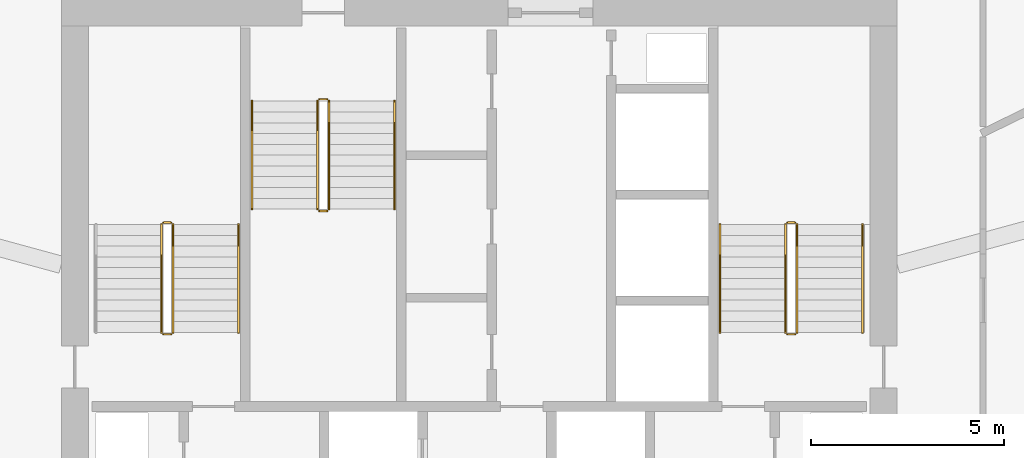
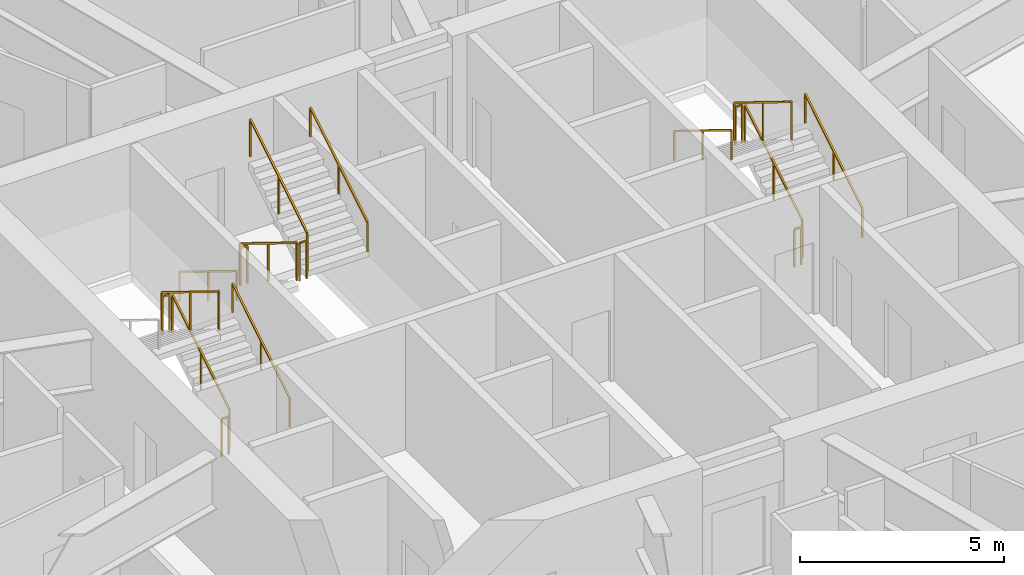
# One storey, part 33 of 33: 17 railings.
"""IFC4 building model written with IfcOpenShell, lengths in metres."""

import ifcopenshell
import ifcopenshell.guid

model = None  # the IFC model being written
_history = None  # IfcOwnerHistory: only IFC2X3 demands one
_inside = {}  # id of a spatial element -> (the spatial element, [elements in it])
_under = {}  # id of a project, library or spatial element -> (it, [spatial elements below it])
_declared = {}  # id of a project -> (the project, [libraries it declares])
_typed = {}  # id of a type object -> (the type object, [elements of that type])
_made_of = {}  # id of a material, layer set ... -> (it, [elements and type objects made of it])


def new_model(schema):
    """Start an empty IFC model of exactly this schema.

    Asked for "IFC4X3", IfcOpenShell would pick the latest addendum, in which some entities
    have other attributes; the version numbers below select the first issue.
    IFC2X3 requires an IfcOwnerHistory on every rooted entity: one is made here for all.
    """
    global model, _history
    if schema == "IFC4X3":
        model = ifcopenshell.file(schema_version=(4, 3, 0, 0))
    else:
        model = ifcopenshell.file(schema=schema)
    _inside.clear()
    _under.clear()
    _declared.clear()
    _typed.clear()
    _made_of.clear()
    _history = None
    if model.schema == "IFC2X3":
        org = make("IfcOrganization", Name="unknown")
        user = make(
            "IfcPersonAndOrganization",
            ThePerson=make("IfcPerson", FamilyName="unknown"),
            TheOrganization=org,
        )
        app = make(
            "IfcApplication",
            ApplicationDeveloper=org,
            Version="unknown",
            ApplicationFullName="unknown",
            ApplicationIdentifier="unknown",
        )
        _history = make(
            "IfcOwnerHistory",
            OwningUser=user,
            OwningApplication=app,
            ChangeAction="ADDED",
            CreationDate=0,
        )
    return model


def make(cls, **values):
    """One entity of the class cls with the attributes given. An attribute that is None is left unset."""
    return model.create_entity(
        cls, **{name: value for name, value in values.items() if value is not None}
    )


def rooted(cls, **values):
    """An entity with a GlobalId (a new one), such as an element, a storey or a relation."""
    return make(cls, GlobalId=ifcopenshell.guid.new(), OwnerHistory=_history, **values)


def si_unit(unit_type, name, prefix=None):
    """IfcSIUnit, for example si_unit("LENGTHUNIT", "METRE", prefix="MILLI")."""
    return make("IfcSIUnit", UnitType=unit_type, Prefix=prefix, Name=name)


def assignment(units):
    """IfcUnitAssignment: the units of a project."""
    return None if units is None else make("IfcUnitAssignment", Units=units)


def point(xyz):
    """IfcCartesianPoint."""
    return None if xyz is None else make("IfcCartesianPoint", Coordinates=xyz)


def direction(xyz):
    """IfcDirection."""
    return None if xyz is None else make("IfcDirection", DirectionRatios=xyz)


def frame(location, z_axis=None, x_axis=None):
    """IfcAxis2Placement3D, a coordinate frame: its origin and axes. An axis left out is left unset."""
    return make(
        "IfcAxis2Placement3D",
        Location=point(location),
        Axis=direction(z_axis),
        RefDirection=direction(x_axis),
    )


def frame_2d(location, x_axis=None):
    """IfcAxis2Placement2D, a coordinate frame in the plane: its origin and x axis."""
    return make(
        "IfcAxis2Placement2D", Location=point(location), RefDirection=direction(x_axis)
    )


def origin():
    """The frame at (0, 0, 0) with its axes left unset."""
    return frame((0.0, 0.0, 0.0))


def origin_2d():
    """The frame at (0, 0) in the plane with its x axis left unset."""
    return frame_2d((0.0, 0.0))


def place(relative_to, where):
    """IfcLocalPlacement: puts the frame where relative to a parent placement (None: the world)."""
    return make(
        "IfcLocalPlacement", PlacementRelTo=relative_to, RelativePlacement=where
    )


def context(
    kind, dimensions, precision=None, world=None, true_north=None, identifier=None
):
    """IfcGeometricRepresentationContext, for example the 3D "Model" context."""
    return make(
        "IfcGeometricRepresentationContext",
        ContextIdentifier=identifier,
        ContextType=kind,
        CoordinateSpaceDimension=dimensions,
        Precision=precision,
        WorldCoordinateSystem=world,
        TrueNorth=true_north,
    )


def subcontext(parent, identifier, kind, view, scale=None):
    """IfcGeometricRepresentationSubContext, for example "Body" below "Model"."""
    return make(
        "IfcGeometricRepresentationSubContext",
        ContextIdentifier=identifier,
        ContextType=kind,
        ParentContext=parent,
        TargetScale=scale,
        TargetView=view,
    )


def project(units=None, contexts=None):
    """IfcProject with its units and contexts."""
    return rooted(
        "IfcProject",
        Name="project",
        RepresentationContexts=contexts,
        UnitsInContext=assignment(units),
    )


def spatial(cls, under=None, at=None, **own):
    """A site, building, storey or space (cls), placed at a placement, below another one or the project."""
    s = rooted(cls, ObjectPlacement=at, **own)
    if under is not None:
        _under.setdefault(under.id(), (under, []))[1].append(s)
    return s


def profile(cls, at=None, kind="AREA", **sizes):
    """A parametric profile (cls). Its sizes go by their IFC names, for example OverallWidth=200.0."""
    return make(cls, ProfileType=kind, Position=at, **sizes)


def rectangle(**sizes):
    """IfcRectangleProfileDef."""
    return profile("IfcRectangleProfileDef", **sizes)


def extrude(swept, where, along, depth):
    """IfcExtrudedAreaSolid: the profile swept, set in the frame where, extruded along a direction by depth."""
    return make(
        "IfcExtrudedAreaSolid",
        SweptArea=swept,
        Position=where,
        ExtrudedDirection=direction(along),
        Depth=depth,
    )


def shape(context_of_items, identifier, shape_type, items):
    """IfcShapeRepresentation: the items that make up one representation, for example the "Body"."""
    return make(
        "IfcShapeRepresentation",
        ContextOfItems=context_of_items,
        RepresentationIdentifier=identifier,
        RepresentationType=shape_type,
        Items=items,
    )


def material(Name=None, Category=None):
    """IfcMaterial."""
    return make("IfcMaterial", Name=Name, Category=Category)


def made_of(thing, what):
    """Note that an element or type object is made of a material, layer set ...; save() writes the relation."""
    if what is not None:
        _made_of.setdefault(what.id(), (what, []))[1].append(thing)
    return thing


def type_object(cls, material=None, **own):
    """A type object (cls), such as IfcWallType, which elements share."""
    return made_of(rooted(cls, **own), material)


def element(
    cls,
    number,
    at=None,
    inside=None,
    cuts=None,
    type_object=None,
    material=None,
    context=None,
    identifier="Body",
    shape_type=None,
    held_by="IfcProductDefinitionShape",
    body=None,
    shapes=None,
    **own,
):
    """One element of the class cls, such as IfcWall. Its Tag is "e" and its number.

    at: its placement. inside: the storey or other place that contains it. cuts: it is an
    opening in that element (IfcRelVoidsElement). A single representation is given by context,
    identifier, shape_type and body (its items); several are given by shapes. held_by: the class
    of the entity that holds the representations. save() writes the other relations.
    """
    e = rooted(cls, Tag="e%d" % number, ObjectPlacement=at, **own)
    if body is not None:
        shapes = [shape(context, identifier, shape_type, body)]
    if shapes is not None:
        e.Representation = make(held_by, Representations=shapes)
    if inside is not None:
        _inside.setdefault(inside.id(), (inside, []))[1].append(e)
    if cuts is not None:
        rooted(
            "IfcRelVoidsElement", RelatingBuildingElement=cuts, RelatedOpeningElement=e
        )
    if type_object is not None:
        _typed.setdefault(type_object.id(), (type_object, []))[1].append(e)
    return made_of(e, material)


def aggregate(whole, parts):
    """IfcRelAggregates: a whole, such as a stair, and the parts it consists of."""
    return rooted("IfcRelAggregates", RelatingObject=whole, RelatedObjects=parts)


def save(model, path):
    """Write the relations noted so far, then the file.

    IfcRelAggregates (storeys below a building ...), IfcRelContainedInSpatialStructure (elements
    in a storey), IfcRelDefinesByType, IfcRelAssociatesMaterial and IfcRelDeclares: one each for
    every whole, place, type object, material and project.
    """
    for whole, parts in _under.values():
        aggregate(whole, parts)
    for where, things in _inside.values():
        rooted(
            "IfcRelContainedInSpatialStructure",
            RelatedElements=things,
            RelatingStructure=where,
        )
    for kind, things in _typed.values():
        rooted("IfcRelDefinesByType", RelatedObjects=things, RelatingType=kind)
    for what, things in _made_of.values():
        rooted("IfcRelAssociatesMaterial", RelatedObjects=things, RelatingMaterial=what)
    for by, libraries in _declared.values():
        rooted("IfcRelDeclares", RelatingContext=by, RelatedDefinitions=libraries)
    model.write(path)


model = new_model("IFC4")

# Units and contexts
model_context = context("Model", 3, precision=1e-05, world=origin(), true_north=direction((0.0, 1.0)))
body_context = subcontext(model_context, "Body", "Model", "MODEL_VIEW")
ifc_project = project(units=[si_unit("LENGTHUNIT", "METRE"), si_unit("AREAUNIT", "SQUARE_METRE"), si_unit("VOLUMEUNIT", "CUBIC_METRE"), si_unit("PLANEANGLEUNIT", "RADIAN"), si_unit("MASSUNIT", "GRAM", prefix="KILO")], contexts=[model_context])

# Site, building, storey
site_placement = place(None, origin())
site = spatial("IfcSite", under=ifc_project, at=site_placement, CompositionType="ELEMENT")
building_placement = place(site_placement, origin())
building = spatial("IfcBuilding", under=site, at=building_placement, Name="Zuhravey Tower", CompositionType="ELEMENT")
storey_placement = place(building_placement, frame((0.0, 0.0, 141.800048828125)))
storey = spatial("IfcBuildingStorey", under=building, at=storey_placement, Name="L35", CompositionType="ELEMENT", Elevation=141.800048828125)

# Railings
ifc_material_1 = material(Name="Brushed stainless steel", Category="steel")
railing_type_1 = type_object("IfcRailingType", Name="Stair Wall Handrail 900", PredefinedType="HANDRAIL", material=ifc_material_1)
for number, where, name in (
    (1, (29.75, 33.199951171875, 0.172607421875), "L35 ST1 stair handrail 1"),
    (2, (45.949951171875, 33.199951171875, 0.172607421875), "L35 ST2 stair handrail 1"),
):
    element("IfcRailing", number, at=place(storey_placement, frame(where)), inside=storey, type_object=railing_type_1, Name=name, PredefinedType="HANDRAIL", context=body_context, shape_type="SweptSolid", body=[
        extrude(rectangle(XDim=0.048095703125, YDim=0.048095703125, at=origin_2d()), frame((0.0, 0.001708984375, 0.876953125), z_axis=(0.0, 0.851089632645, 0.525020415988), x_axis=(-1.0, 0.0, 0.0)), (0.0, 0.0, 1.0), 3.285888671875),
        extrude(rectangle(XDim=0.0419921875, YDim=0.0419921875, at=origin_2d()), origin(), (0.0, 0.0, 1.0), 0.849853515625),
        extrude(rectangle(XDim=0.0419921875, YDim=0.0419921875, at=origin_2d()), frame((0.0, 1.39990234375, 0.86376953125)), (0.0, 0.0, 1.0), 0.849853515625),
        extrude(rectangle(XDim=0.0419921875, YDim=0.0419921875, at=origin_2d()), frame((0.0, 2.800048828125, 1.727294921875)), (0.0, 0.0, 1.0), 0.849853515625),
    ])
for number, where, name in (
    (3, (42.25, 36.0, 2.07275390625), "L35 ST2 stair handrail 2"),
    (4, (30.10009765625, 39.199951171875, 0.172607421875), "L35 ST3 stair handrail 1"),
):
    element("IfcRailing", number, at=place(storey_placement, frame(where)), inside=storey, type_object=railing_type_1, Name=name, PredefinedType="HANDRAIL", context=body_context, shape_type="SweptSolid", body=[
        extrude(rectangle(XDim=0.048095703125, YDim=0.048095703125, at=origin_2d()), frame((0.0, -0.001708984375, 0.876953125), z_axis=(0.0, -0.851089632645, 0.525020415988), x_axis=(1.0, 0.0, 0.0)), (0.0, 0.0, 1.0), 3.285888671875),
        extrude(rectangle(XDim=0.0419921875, YDim=0.0419921875, at=origin_2d()), origin(), (0.0, 0.0, 1.0), 0.849853515625),
        extrude(rectangle(XDim=0.0419921875, YDim=0.0419921875, at=origin_2d()), frame((0.0, -1.39990234375, 0.86376953125)), (0.0, 0.0, 1.0), 0.849853515625),
        extrude(rectangle(XDim=0.0419921875, YDim=0.0419921875, at=origin_2d()), frame((0.0, -2.800048828125, 1.727294921875)), (0.0, 0.0, 1.0), 0.849853515625),
    ])
railing_1_placement = place(storey_placement, frame((33.800048828125, 36.39990234375, 2.07275390625)))
element("IfcRailing", 5, at=railing_1_placement, inside=storey, type_object=railing_type_1, Name="L35 ST3 stair handrail 2", PredefinedType="HANDRAIL", context=body_context, shape_type="SweptSolid", body=[
    extrude(rectangle(XDim=0.048095703125, YDim=0.048095703125, at=origin_2d()), frame((0.0, 0.001708984375, 0.876953125), z_axis=(0.0, 0.851089632645, 0.525020415988), x_axis=(-1.0, 0.0, 0.0)), (0.0, 0.0, 1.0), 3.285888671875),
    extrude(rectangle(XDim=0.0419921875, YDim=0.0419921875, at=origin_2d()), origin(), (0.0, 0.0, 1.0), 0.849853515625),
    extrude(rectangle(XDim=0.0419921875, YDim=0.0419921875, at=origin_2d()), frame((0.0, 1.39990234375, 0.86376953125)), (0.0, 0.0, 1.0), 0.849853515625),
    extrude(rectangle(XDim=0.0419921875, YDim=0.0419921875, at=origin_2d()), frame((0.0, 2.800048828125, 1.727294921875)), (0.0, 0.0, 1.0), 0.849853515625),
])
ifc_material_2 = material(Name="Painted tubular steel", Category="steel")
railing_type_2 = type_object("IfcRailingType", Name="Stair Well Guardrail 1150", PredefinedType="GUARDRAIL", material=ifc_material_2)
railing_2_placement = place(storey_placement, frame((28.050048828125, 33.199951171875, 0.172607421875)))
element("IfcRailing", 6, at=railing_2_placement, inside=storey, type_object=railing_type_2, Name="L35 ST1 stair guard 1", PredefinedType="GUARDRAIL", context=body_context, shape_type="SweptSolid", body=[
    extrude(rectangle(XDim=0.048095703125, YDim=0.048095703125, at=origin_2d()), frame((0.0, 0.001708984375, 1.126953125), z_axis=(0.0, 0.851089632645, 0.525020415988), x_axis=(-1.0, 0.0, 0.0)), (0.0, 0.0, 1.0), 3.285888671875),
    extrude(rectangle(XDim=0.0419921875, YDim=0.0419921875, at=origin_2d()), origin(), (0.0, 0.0, 1.0), 1.099853515625),
    extrude(rectangle(XDim=0.0419921875, YDim=0.0419921875, at=origin_2d()), frame((0.0, 1.39990234375, 0.86376953125)), (0.0, 0.0, 1.0), 1.099853515625),
    extrude(rectangle(XDim=0.0419921875, YDim=0.0419921875, at=origin_2d()), frame((0.0, 2.800048828125, 1.727294921875)), (0.0, 0.0, 1.0), 1.099853515625),
])
railing_3_placement = place(storey_placement, frame((28.0, 36.050048828125, 1.89990234375)))
element("IfcRailing", 7, at=railing_3_placement, inside=storey, type_object=railing_type_2, Name="L35 ST1 stair guard 2", PredefinedType="GUARDRAIL", context=body_context, shape_type="SweptSolid", body=[
    extrude(rectangle(XDim=0.048095703125, YDim=0.048095703125, at=origin_2d()), frame((-0.001953125, 0.0, 1.1259765625), z_axis=(-1.0, 0.0, 0.0), x_axis=(0.0, -1.0, 0.0)), (0.0, 0.0, 1.0), 0.196044921875),
    extrude(rectangle(XDim=0.0419921875, YDim=0.0419921875, at=origin_2d()), origin(), (0.0, 0.0, 1.0), 1.099853515625),
    extrude(rectangle(XDim=0.0419921875, YDim=0.0419921875, at=origin_2d()), frame((-0.199951171875, 0.0, 0.0)), (0.0, 0.0, 1.0), 1.099853515625),
])
railing_4_placement = place(storey_placement, frame((27.75, 36.0, 2.07275390625)))
element("IfcRailing", 8, at=railing_4_placement, inside=storey, type_object=railing_type_2, Name="L35 ST1 stair guard 3", PredefinedType="GUARDRAIL", context=body_context, shape_type="SweptSolid", body=[
    extrude(rectangle(XDim=0.048095703125, YDim=0.048095703125, at=origin_2d()), frame((0.0, -0.001708984375, 1.126953125), z_axis=(0.0, -0.851089632645, 0.525020415988), x_axis=(1.0, 0.0, 0.0)), (0.0, 0.0, 1.0), 3.285888671875),
    extrude(rectangle(XDim=0.0419921875, YDim=0.0419921875, at=origin_2d()), origin(), (0.0, 0.0, 1.0), 1.099853515625),
    extrude(rectangle(XDim=0.0419921875, YDim=0.0419921875, at=origin_2d()), frame((0.0, -1.39990234375, 0.86376953125)), (0.0, 0.0, 1.0), 1.099853515625),
    extrude(rectangle(XDim=0.0419921875, YDim=0.0419921875, at=origin_2d()), frame((0.0, -2.800048828125, 1.727294921875)), (0.0, 0.0, 1.0), 1.099853515625),
])
railing_5_placement = place(storey_placement, frame((28.0, 33.14990234375, 0.0)))
element("IfcRailing", 9, at=railing_5_placement, inside=storey, type_object=railing_type_2, Name="L35 ST1 stair guard 4", PredefinedType="GUARDRAIL", context=body_context, shape_type="SweptSolid", body=[
    extrude(rectangle(XDim=0.048095703125, YDim=0.048095703125, at=origin_2d()), frame((-0.001953125, 0.0, 1.1259765625), z_axis=(-1.0, 0.0, 0.0), x_axis=(0.0, -1.0, 0.0)), (0.0, 0.0, 1.0), 0.196044921875),
    extrude(rectangle(XDim=0.0419921875, YDim=0.0419921875, at=origin_2d()), origin(), (0.0, 0.0, 1.0), 1.099853515625),
    extrude(rectangle(XDim=0.0419921875, YDim=0.0419921875, at=origin_2d()), frame((-0.199951171875, 0.0, 0.0)), (0.0, 0.0, 1.0), 1.099853515625),
])
railing_6_placement = place(storey_placement, frame((44.25, 33.199951171875, 0.172607421875)))
element("IfcRailing", 10, at=railing_6_placement, inside=storey, type_object=railing_type_2, Name="L35 ST2 stair guard 1", PredefinedType="GUARDRAIL", context=body_context, shape_type="SweptSolid", body=[
    extrude(rectangle(XDim=0.048095703125, YDim=0.048095703125, at=origin_2d()), frame((0.0, 0.001708984375, 1.126953125), z_axis=(0.0, 0.851089632645, 0.525020415988), x_axis=(-1.0, 0.0, 0.0)), (0.0, 0.0, 1.0), 3.285888671875),
    extrude(rectangle(XDim=0.0419921875, YDim=0.0419921875, at=origin_2d()), origin(), (0.0, 0.0, 1.0), 1.099853515625),
    extrude(rectangle(XDim=0.0419921875, YDim=0.0419921875, at=origin_2d()), frame((0.0, 1.39990234375, 0.86376953125)), (0.0, 0.0, 1.0), 1.099853515625),
    extrude(rectangle(XDim=0.0419921875, YDim=0.0419921875, at=origin_2d()), frame((0.0, 2.800048828125, 1.727294921875)), (0.0, 0.0, 1.0), 1.099853515625),
])
railing_7_placement = place(storey_placement, frame((44.199951171875, 36.050048828125, 1.89990234375)))
element("IfcRailing", 11, at=railing_7_placement, inside=storey, type_object=railing_type_2, Name="L35 ST2 stair guard 2", PredefinedType="GUARDRAIL", context=body_context, shape_type="SweptSolid", body=[
    extrude(rectangle(XDim=0.048095703125, YDim=0.048095703125, at=origin_2d()), frame((-0.001953125, 0.0, 1.1259765625), z_axis=(-1.0, 0.0, 0.0), x_axis=(0.0, -1.0, 0.0)), (0.0, 0.0, 1.0), 0.196044921875),
    extrude(rectangle(XDim=0.0419921875, YDim=0.0419921875, at=origin_2d()), origin(), (0.0, 0.0, 1.0), 1.099853515625),
    extrude(rectangle(XDim=0.0419921875, YDim=0.0419921875, at=origin_2d()), frame((-0.199951171875, 0.0, 0.0)), (0.0, 0.0, 1.0), 1.099853515625),
])
railing_8_placement = place(storey_placement, frame((43.949951171875, 36.0, 2.07275390625)))
element("IfcRailing", 12, at=railing_8_placement, inside=storey, type_object=railing_type_2, Name="L35 ST2 stair guard 3", PredefinedType="GUARDRAIL", context=body_context, shape_type="SweptSolid", body=[
    extrude(rectangle(XDim=0.048095703125, YDim=0.048095703125, at=origin_2d()), frame((0.0, -0.001708984375, 1.126953125), z_axis=(0.0, -0.851089632645, 0.525020415988), x_axis=(1.0, 0.0, 0.0)), (0.0, 0.0, 1.0), 3.285888671875),
    extrude(rectangle(XDim=0.0419921875, YDim=0.0419921875, at=origin_2d()), origin(), (0.0, 0.0, 1.0), 1.099853515625),
    extrude(rectangle(XDim=0.0419921875, YDim=0.0419921875, at=origin_2d()), frame((0.0, -1.39990234375, 0.86376953125)), (0.0, 0.0, 1.0), 1.099853515625),
    extrude(rectangle(XDim=0.0419921875, YDim=0.0419921875, at=origin_2d()), frame((0.0, -2.800048828125, 1.727294921875)), (0.0, 0.0, 1.0), 1.099853515625),
])
railing_9_placement = place(storey_placement, frame((44.199951171875, 33.14990234375, 0.0)))
element("IfcRailing", 13, at=railing_9_placement, inside=storey, type_object=railing_type_2, Name="L35 ST2 stair guard 4", PredefinedType="GUARDRAIL", context=body_context, shape_type="SweptSolid", body=[
    extrude(rectangle(XDim=0.048095703125, YDim=0.048095703125, at=origin_2d()), frame((-0.001953125, 0.0, 1.1259765625), z_axis=(-1.0, 0.0, 0.0), x_axis=(0.0, -1.0, 0.0)), (0.0, 0.0, 1.0), 0.196044921875),
    extrude(rectangle(XDim=0.0419921875, YDim=0.0419921875, at=origin_2d()), origin(), (0.0, 0.0, 1.0), 1.099853515625),
    extrude(rectangle(XDim=0.0419921875, YDim=0.0419921875, at=origin_2d()), frame((-0.199951171875, 0.0, 0.0)), (0.0, 0.0, 1.0), 1.099853515625),
])
railing_10_placement = place(storey_placement, frame((31.800048828125, 39.199951171875, 0.172607421875)))
element("IfcRailing", 14, at=railing_10_placement, inside=storey, type_object=railing_type_2, Name="L35 ST3 stair guard 1", PredefinedType="GUARDRAIL", context=body_context, shape_type="SweptSolid", body=[
    extrude(rectangle(XDim=0.048095703125, YDim=0.048095703125, at=origin_2d()), frame((0.0, -0.001708984375, 1.126953125), z_axis=(0.0, -0.851089632645, 0.525020415988), x_axis=(1.0, 0.0, 0.0)), (0.0, 0.0, 1.0), 3.285888671875),
    extrude(rectangle(XDim=0.0419921875, YDim=0.0419921875, at=origin_2d()), origin(), (0.0, 0.0, 1.0), 1.099853515625),
    extrude(rectangle(XDim=0.0419921875, YDim=0.0419921875, at=origin_2d()), frame((0.0, -1.39990234375, 0.86376953125)), (0.0, 0.0, 1.0), 1.099853515625),
    extrude(rectangle(XDim=0.0419921875, YDim=0.0419921875, at=origin_2d()), frame((0.0, -2.800048828125, 1.727294921875)), (0.0, 0.0, 1.0), 1.099853515625),
])
railing_11_placement = place(storey_placement, frame((31.85009765625, 36.35009765625, 1.89990234375)))
element("IfcRailing", 15, at=railing_11_placement, inside=storey, type_object=railing_type_2, Name="L35 ST3 stair guard 2", PredefinedType="GUARDRAIL", context=body_context, shape_type="SweptSolid", body=[
    extrude(rectangle(XDim=0.048095703125, YDim=0.048095703125, at=origin_2d()), frame((0.001953125, 0.0, 1.1259765625), z_axis=(1.0, 0.0, 0.0), x_axis=(0.0, 1.0, 0.0)), (0.0, 0.0, 1.0), 0.196044921875),
    extrude(rectangle(XDim=0.0419921875, YDim=0.0419921875, at=origin_2d()), origin(), (0.0, 0.0, 1.0), 1.099853515625),
    extrude(rectangle(XDim=0.0419921875, YDim=0.0419921875, at=origin_2d()), frame((0.199951171875, 0.0, 0.0)), (0.0, 0.0, 1.0), 1.099853515625),
])
railing_12_placement = place(storey_placement, frame((32.10009765625, 36.39990234375, 2.07275390625)))
element("IfcRailing", 16, at=railing_12_placement, inside=storey, type_object=railing_type_2, Name="L35 ST3 stair guard 3", PredefinedType="GUARDRAIL", context=body_context, shape_type="SweptSolid", body=[
    extrude(rectangle(XDim=0.048095703125, YDim=0.048095703125, at=origin_2d()), frame((0.0, 0.001708984375, 1.126953125), z_axis=(0.0, 0.851089632645, 0.525020415988), x_axis=(-1.0, 0.0, 0.0)), (0.0, 0.0, 1.0), 3.285888671875),
    extrude(rectangle(XDim=0.0419921875, YDim=0.0419921875, at=origin_2d()), origin(), (0.0, 0.0, 1.0), 1.099853515625),
    extrude(rectangle(XDim=0.0419921875, YDim=0.0419921875, at=origin_2d()), frame((0.0, 1.39990234375, 0.86376953125)), (0.0, 0.0, 1.0), 1.099853515625),
    extrude(rectangle(XDim=0.0419921875, YDim=0.0419921875, at=origin_2d()), frame((0.0, 2.800048828125, 1.727294921875)), (0.0, 0.0, 1.0), 1.099853515625),
])
railing_13_placement = place(storey_placement, frame((31.85009765625, 39.25, 0.0)))
element("IfcRailing", 17, at=railing_13_placement, inside=storey, type_object=railing_type_2, Name="L35 ST3 stair guard 4", PredefinedType="GUARDRAIL", context=body_context, shape_type="SweptSolid", body=[
    extrude(rectangle(XDim=0.048095703125, YDim=0.048095703125, at=origin_2d()), frame((0.001953125, 0.0, 1.1259765625), z_axis=(1.0, 0.0, 0.0), x_axis=(0.0, 1.0, 0.0)), (0.0, 0.0, 1.0), 0.196044921875),
    extrude(rectangle(XDim=0.0419921875, YDim=0.0419921875, at=origin_2d()), origin(), (0.0, 0.0, 1.0), 1.099853515625),
    extrude(rectangle(XDim=0.0419921875, YDim=0.0419921875, at=origin_2d()), frame((0.199951171875, 0.0, 0.0)), (0.0, 0.0, 1.0), 1.099853515625),
])

save(model, "model.ifc")
